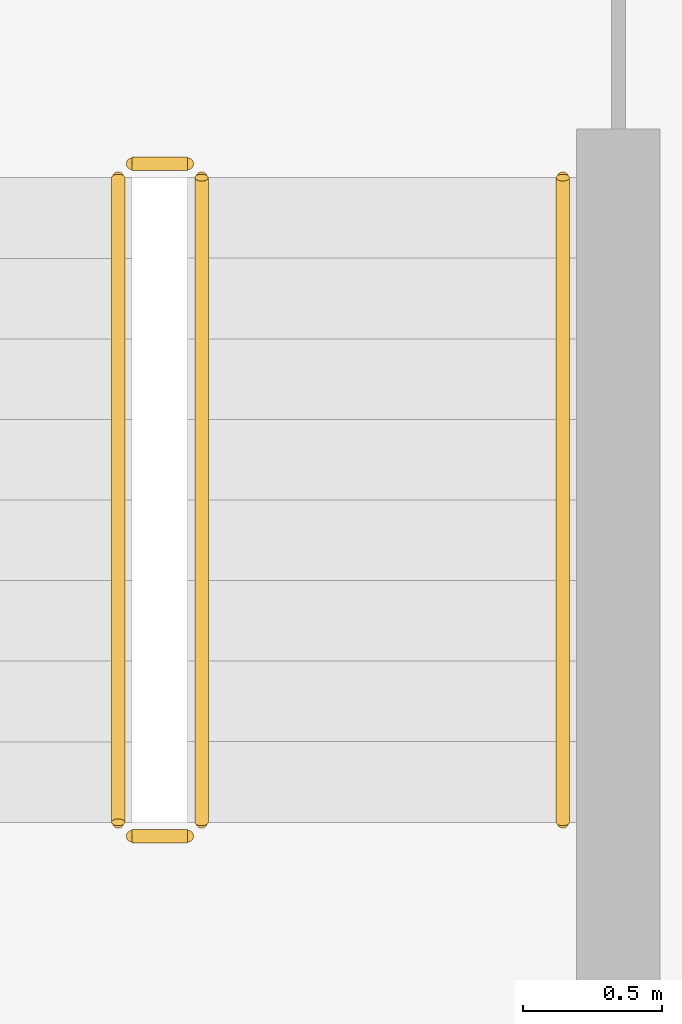
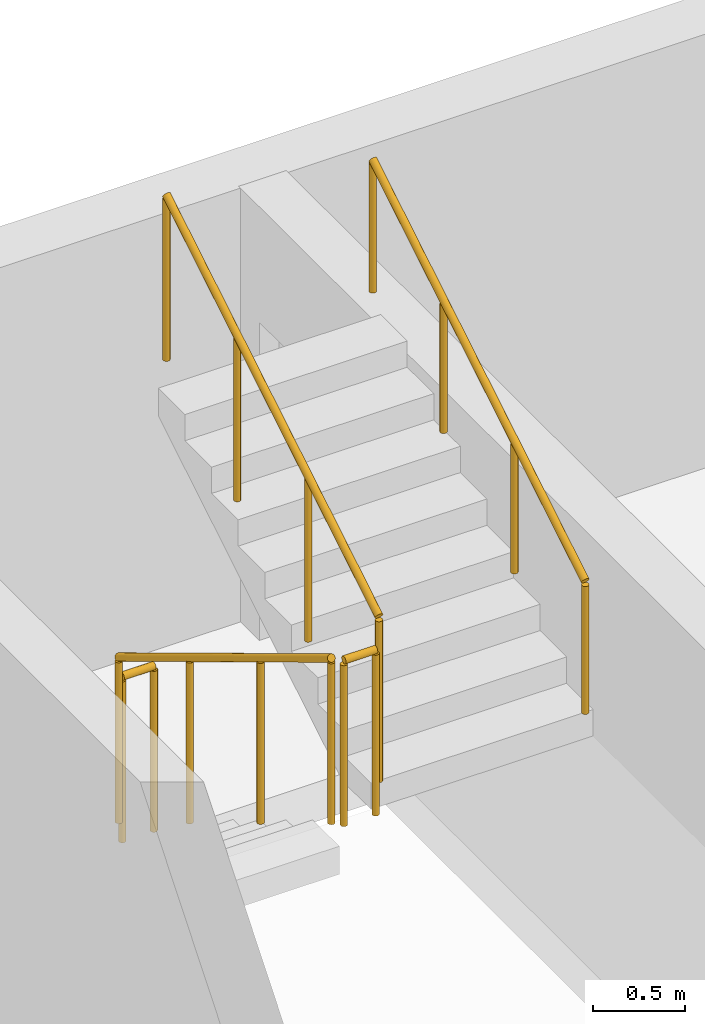
# One storey, part 39 of 41: 5 railings.
"""IFC4 building model written with IfcOpenShell, lengths in metres."""

from ifc_helpers import new_model, si_unit, derived_unit, direction, frame, origin, origin_2d, place, context, subcontext, project, spatial, circle, extrude, material, type_object, element, save


model = new_model("IFC4")

# Units and contexts
model_context = context("Model", 3, precision=1e-05, world=origin(), true_north=direction((0.0, 1.0)))
body_context = subcontext(model_context, "Body", "Model", "MODEL_VIEW")
ifc_project = project(units=[si_unit("LENGTHUNIT", "METRE"), si_unit("AREAUNIT", "SQUARE_METRE"), si_unit("VOLUMEUNIT", "CUBIC_METRE"), si_unit("PLANEANGLEUNIT", "RADIAN"), si_unit("MASSUNIT", "GRAM", prefix="KILO"), derived_unit("THERMALTRANSMITTANCEUNIT", [(si_unit("MASSUNIT", "GRAM", prefix="KILO"), 1), (si_unit("TIMEUNIT", "SECOND"), -3), (si_unit("THERMODYNAMICTEMPERATUREUNIT", "KELVIN"), -1)])], contexts=[model_context])

# Site, building, storey
site_placement = place(None, origin())
site = spatial("IfcSite", under=ifc_project, at=site_placement, CompositionType="ELEMENT")
building_placement = place(site_placement, origin())
building = spatial("IfcBuilding", under=site, at=building_placement, Name="Ochrekiln Boulevard Commons", CompositionType="ELEMENT")
storey_placement = place(building_placement, frame((0.0, 0.0, 21.52490234375)))
storey = spatial("IfcBuildingStorey", under=building, at=storey_placement, Name="L06", CompositionType="ELEMENT", Elevation=21.52490234375)

# Railings
ifc_material = material(Name="Brushed stainless steel 316 tubular railing", Category="steel")
railing_type_1 = type_object("IfcRailingType", Name="RLG-HDR-900", PredefinedType="HANDRAIL", material=ifc_material)
railing_1_placement = place(storey_placement, frame((160.550048828125, 114.610107421875, 1.75)))
element("IfcRailing", 1, at=railing_1_placement, inside=storey, type_object=railing_type_1, Name="L06 ST-B2 stair handrail 2", PredefinedType="HANDRAIL", context=body_context, shape_type="SweptSolid", body=[
    extrude(circle(Radius=0.02392578125, at=origin_2d()), frame((0.0, 0.0, 0.8759765625), z_axis=(0.0, 0.856146426353, 0.516733293531), x_axis=(-1.0, 0.0, 0.0)), (0.0, 0.0, 1.0), 2.709716796875),
    extrude(circle(Radius=0.02099609375, at=origin_2d()), origin(), (0.0, 0.0, 1.0), 0.851806640625),
    extrude(circle(Radius=0.02099609375, at=origin_2d()), frame((0.0, 0.773193359375, 0.466796875)), (0.0, 0.0, 1.0), 0.851806640625),
    extrude(circle(Radius=0.02099609375, at=origin_2d()), frame((0.0, 1.546630859375, 0.933349609375)), (0.0, 0.0, 1.0), 0.851806640625),
    extrude(circle(Radius=0.02099609375, at=origin_2d()), frame((0.0, 2.31982421875, 1.400146484375)), (0.0, 0.0, 1.0), 0.851806640625),
])
railing_type_2 = type_object("IfcRailingType", Name="RLG-STR-1120", PredefinedType="BALUSTRADE", material=ifc_material)
railing_2_placement = place(storey_placement, frame((158.949951171875, 116.929931640625, 0.175048828125)))
element("IfcRailing", 2, at=railing_2_placement, inside=storey, type_object=railing_type_2, Name="L06 ST-B2 stair guard 1", PredefinedType="BALUSTRADE", context=body_context, shape_type="SweptSolid", body=[
    extrude(circle(Radius=0.02392578125, at=origin_2d()), frame((0.0, 0.0, 1.09619140625), z_axis=(0.0, -0.856146426353, 0.516733293531), x_axis=(1.0, 0.0, 0.0)), (0.0, 0.0, 1.0), 2.709716796875),
    extrude(circle(Radius=0.02099609375, at=origin_2d()), origin(), (0.0, 0.0, 1.0), 1.072021484375),
    extrude(circle(Radius=0.02099609375, at=origin_2d()), frame((0.0, -0.773193359375, 0.466796875)), (0.0, 0.0, 1.0), 1.072021484375),
    extrude(circle(Radius=0.02099609375, at=origin_2d()), frame((0.0, -1.546630859375, 0.933349609375)), (0.0, 0.0, 1.0), 1.072021484375),
    extrude(circle(Radius=0.02099609375, at=origin_2d()), frame((0.0, -2.31982421875, 1.400146484375)), (0.0, 0.0, 1.0), 1.072021484375),
])
railing_3_placement = place(storey_placement, frame((159.0, 114.56005859375, 1.5751953125)))
element("IfcRailing", 3, at=railing_3_placement, inside=storey, type_object=railing_type_2, Name="L06 ST-B2 stair guard 2", PredefinedType="BALUSTRADE", context=body_context, shape_type="SweptSolid", body=[
    extrude(circle(Radius=0.02392578125, at=origin_2d()), frame((0.0, 0.0, 1.09619140625), z_axis=(1.0, 0.0, 0.0), x_axis=(0.0, 1.0, 0.0)), (0.0, 0.0, 1.0), 0.199951171875),
    extrude(circle(Radius=0.02099609375, at=origin_2d()), origin(), (0.0, 0.0, 1.0), 1.072021484375),
    extrude(circle(Radius=0.02099609375, at=origin_2d()), frame((0.199951171875, 0.0, 0.0)), (0.0, 0.0, 1.0), 1.072021484375),
])
railing_4_placement = place(storey_placement, frame((159.25, 114.610107421875, 1.75)))
element("IfcRailing", 4, at=railing_4_placement, inside=storey, type_object=railing_type_2, Name="L06 ST-B2 stair guard 3", PredefinedType="BALUSTRADE", context=body_context, shape_type="SweptSolid", body=[
    extrude(circle(Radius=0.02392578125, at=origin_2d()), frame((0.0, 0.0, 1.09619140625), z_axis=(0.0, 0.856146426353, 0.516733293531), x_axis=(-1.0, 0.0, 0.0)), (0.0, 0.0, 1.0), 2.709716796875),
    extrude(circle(Radius=0.02099609375, at=origin_2d()), origin(), (0.0, 0.0, 1.0), 1.072021484375),
    extrude(circle(Radius=0.02099609375, at=origin_2d()), frame((0.0, 0.773193359375, 0.466796875)), (0.0, 0.0, 1.0), 1.072021484375),
    extrude(circle(Radius=0.02099609375, at=origin_2d()), frame((0.0, 1.546630859375, 0.933349609375)), (0.0, 0.0, 1.0), 1.072021484375),
    extrude(circle(Radius=0.02099609375, at=origin_2d()), frame((0.0, 2.31982421875, 1.400146484375)), (0.0, 0.0, 1.0), 1.072021484375),
])
railing_5_placement = place(storey_placement, frame((159.0, 116.97998046875, 0.0)))
element("IfcRailing", 5, at=railing_5_placement, inside=storey, type_object=railing_type_2, Name="L06 ST-B2 stair guard 4", PredefinedType="BALUSTRADE", context=body_context, shape_type="SweptSolid", body=[
    extrude(circle(Radius=0.02392578125, at=origin_2d()), frame((0.0, 0.0, 1.09619140625), z_axis=(1.0, 0.0, 0.0), x_axis=(0.0, 1.0, 0.0)), (0.0, 0.0, 1.0), 0.199951171875),
    extrude(circle(Radius=0.02099609375, at=origin_2d()), origin(), (0.0, 0.0, 1.0), 1.072021484375),
    extrude(circle(Radius=0.02099609375, at=origin_2d()), frame((0.199951171875, 0.0, 0.0)), (0.0, 0.0, 1.0), 1.072021484375),
])

save(model, "model.ifc")
